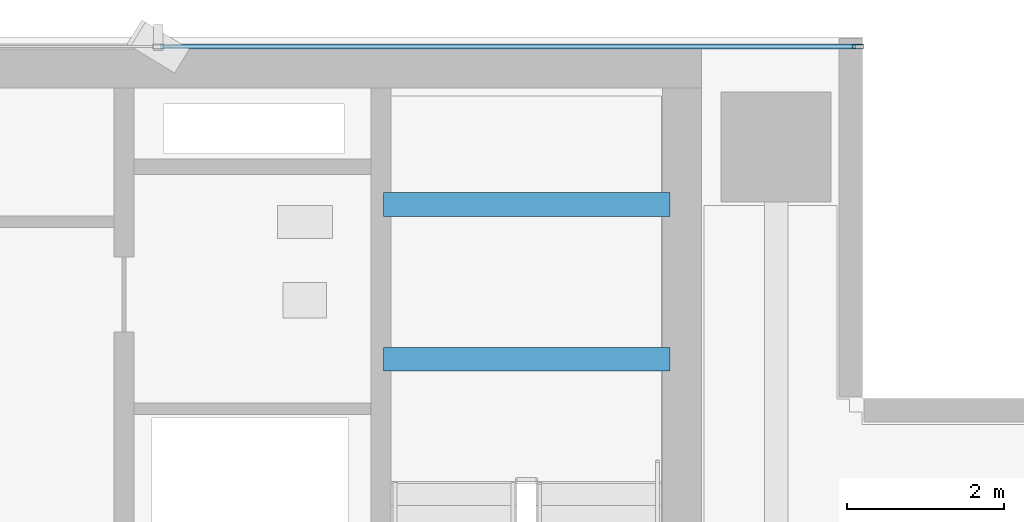
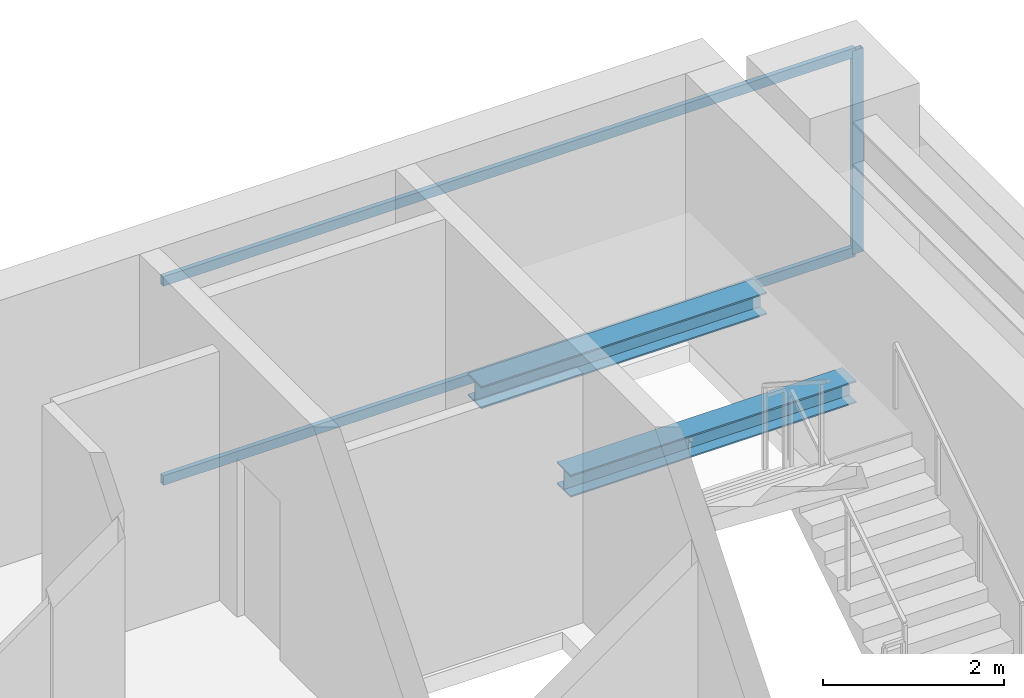
# One storey, part 18 of 26: 3 members, 2 beams, 1 element without a shape of its own.
"""IFC4 building model written with IfcOpenShell, lengths in metres."""

from ifc_helpers import new_model, si_unit, direction, frame, origin, origin_2d, place, context, subcontext, project, spatial, hollow_rectangle, i_section, extrude, source, transform, mapped, material, layer, layer_set, material_profile, profile_set, type_object, element, aggregate, save


model = new_model("IFC4")

# Units and contexts
model_context = context("Model", 3, precision=1e-05, world=origin(), true_north=direction((0.0, 1.0)))
body_context = subcontext(model_context, "Body", "Model", "MODEL_VIEW")
ifc_project = project(units=[si_unit("LENGTHUNIT", "METRE"), si_unit("AREAUNIT", "SQUARE_METRE"), si_unit("VOLUMEUNIT", "CUBIC_METRE"), si_unit("PLANEANGLEUNIT", "RADIAN"), si_unit("MASSUNIT", "GRAM", prefix="KILO")], contexts=[model_context])

# Site, building, storey
site_placement = place(None, origin())
site = spatial("IfcSite", under=ifc_project, at=site_placement, CompositionType="ELEMENT")
building_placement = place(site_placement, origin())
building = spatial("IfcBuilding", under=site, at=building_placement, Name="Sumidabori Civic Tower", CompositionType="ELEMENT")
storey_placement = place(building_placement, frame((0.0, 0.0, 250.39990234375)))
storey = spatial("IfcBuildingStorey", under=building, at=storey_placement, Name="L65", CompositionType="ELEMENT", Elevation=250.39990234375)

# Beams
ifc_material_1 = material(Name="Steel SN490", Category="steel")
ifc_material_profile_1 = material_profile(ifc_material_1, i_section(OverallWidth=0.300048828125, OverallDepth=0.300048828125, WebThickness=0.010986328125, FlangeThickness=0.01904296875, at=origin_2d()), Name="HE 300 B")
ifc_profile_set_1 = profile_set([ifc_material_profile_1], Name="Steel SN490")
beam_type = type_object("IfcBeamType", Name="BM-LDG-300", PredefinedType="BEAM", material=ifc_profile_set_1)
shared_shape_1 = source(origin(), body_context, "Body", "SweptSolid", [
    extrude(i_section(OverallWidth=0.300048828125, OverallDepth=0.300048828125, WebThickness=0.010986328125, FlangeThickness=0.01904296875, at=origin_2d()), origin(), (0.0, 0.0, 1.0), 3.64990234375),
])
for number, where, z_axis, x_axis, name in (
    (1, (11.800048828125, 20.09765625, 1.4501953125), (1.0, 0.0, 0.0), (0.0, 1.0, 0.0), "Stair ST-2 Landing Support Beam L65-1A"),
    (2, (11.800048828125, 22.069580078125, 1.4501953125), (1.0, 0.0, 0.0), (0.0, 1.0, 0.0), "Stair ST-2 Landing Trimmer Beam L65-1B"),
):
    element("IfcBeam", number, at=place(storey_placement, frame(where, z_axis=z_axis, x_axis=x_axis)), inside=storey, type_object=beam_type, Name=name, PredefinedType="BEAM", context=body_context, shape_type="MappedRepresentation", body=[
        mapped(shared_shape_1, transform((0.0, 0.0, 0.0), x_axis=(1.0, 0.0, 0.0), y_axis=(0.0, 1.0, 0.0), z_axis=(0.0, 0.0, 1.0), scale=1.0)),
    ])

# Curtain wall, members
ifc_material_2 = material(Name="Anodised Bronze Aluminium AW-6063-T6", Category="aluminium")
ifc_layer = layer(ifc_material_2, 0.179931640625, Name="Anodised Bronze Aluminium AW-6063-T6")
ifc_layer_set = layer_set([ifc_layer], Name="Anodised Bronze Aluminium AW-6063-T6")
curtain_wall_type = type_object("IfcCurtainWallType", Name="CW-SYS-5", PredefinedType="NOTDEFINED", material=ifc_layer_set)
curtain_wall_placement = place(storey_placement, origin())
curtain_wall = element("IfcCurtainWall", 3, at=curtain_wall_placement, inside=storey, type_object=curtain_wall_type, Name="Curtain Wall CW:L65:R07", PredefinedType="NOTDEFINED")
ifc_material_profile_2 = material_profile(ifc_material_2, hollow_rectangle(XDim=0.06005859375, YDim=0.139892578125, WallThickness=0.0048828125, at=origin_2d()), Name="ALU MULLION 140x60")
ifc_profile_set_2 = profile_set([ifc_material_profile_2], Name="Anodised Bronze Aluminium AW-6063-T6")
member_type_1 = type_object("IfcMemberType", Name="CW-MUL-140", PredefinedType="MULLION", material=ifc_profile_set_2)
shared_shape_2 = source(origin(), body_context, "Body", "SweptSolid", [
    extrude(hollow_rectangle(XDim=0.06005859375, YDim=0.139892578125, WallThickness=0.0048828125, at=origin_2d()), origin(), (0.0, 0.0, 1.0), 2.75),
])
member_1_placement = place(storey_placement, frame((17.840087890625, 24.080078125, 0.0), z_axis=(0.0, 0.0, 1.0), x_axis=(0.0, -1.0, 0.0)))
member_1 = element("IfcMember", 4, at=member_1_placement, type_object=member_type_1, Name="CW-5 mullion 1", PredefinedType="MULLION", context=body_context, shape_type="MappedRepresentation", body=[
    mapped(shared_shape_2, transform((0.0, 0.0, 0.0), x_axis=(1.0, 0.0, 0.0), y_axis=(0.0, 1.0, 0.0), z_axis=(0.0, 0.0, 1.0), scale=1.0)),
])
ifc_material_profile_3 = material_profile(ifc_material_2, hollow_rectangle(XDim=0.06005859375, YDim=0.1298828125, WallThickness=0.0048828125, at=origin_2d()), Name="ALU TRANSOM 130x60")
ifc_profile_set_3 = profile_set([ifc_material_profile_3], Name="Anodised Bronze Aluminium AW-6063-T6")
member_type_2 = type_object("IfcMemberType", Name="CW-TRN-130", PredefinedType="USERDEFINED", material=ifc_profile_set_3)
shared_shape_3 = source(origin(), body_context, "Body", "SweptSolid", [
    extrude(hollow_rectangle(XDim=0.06005859375, YDim=0.1298828125, WallThickness=0.0048828125, at=origin_2d()), origin(), (0.0, 0.0, 1.0), 8.844970703125),
])
member_2_placement = place(storey_placement, frame((17.81005859375, 24.080078125, 0.030029296875), z_axis=(-1.0, 0.0, 0.0), x_axis=(0.0, -1.0, 0.0)))
member_2 = element("IfcMember", 5, at=member_2_placement, type_object=member_type_2, Name="CW-5 transom 1.1", ObjectType="TRANSOM", PredefinedType="USERDEFINED", context=body_context, shape_type="MappedRepresentation", body=[
    mapped(shared_shape_3, transform((0.0, 0.0, 0.0), x_axis=(1.0, 0.0, 0.0), y_axis=(0.0, 1.0, 0.0), z_axis=(0.0, 0.0, 1.0), scale=1.0)),
])
member_3_placement = place(storey_placement, frame((17.81005859375, 24.080078125, 2.72021484375), z_axis=(-1.0, 0.0, 0.0), x_axis=(0.0, -1.0, 0.0)))
member_3 = element("IfcMember", 6, at=member_3_placement, type_object=member_type_2, Name="CW-5 transom 1.2", ObjectType="TRANSOM", PredefinedType="USERDEFINED", context=body_context, shape_type="MappedRepresentation", body=[
    mapped(shared_shape_3, transform((0.0, 0.0, 0.0), x_axis=(1.0, 0.0, 0.0), y_axis=(0.0, 1.0, 0.0), z_axis=(0.0, 0.0, 1.0), scale=1.0)),
])
aggregate(curtain_wall, [member_1, member_2, member_3])

save(model, "model.ifc")
